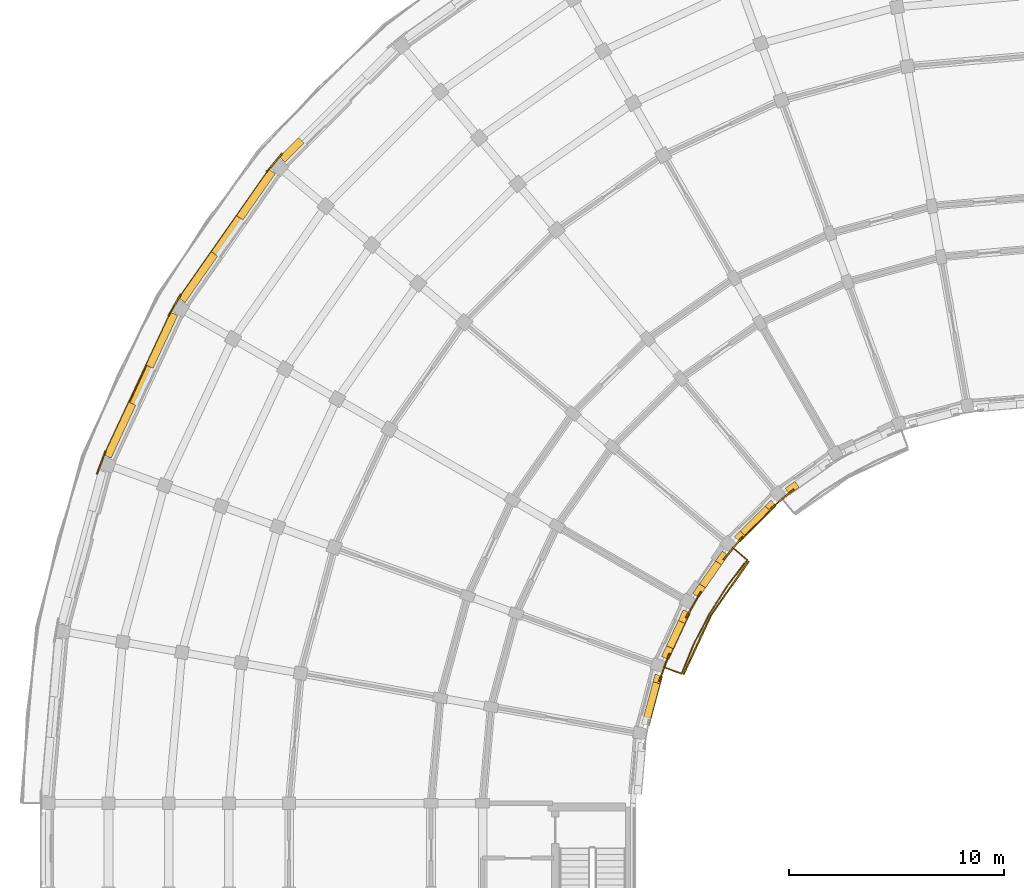
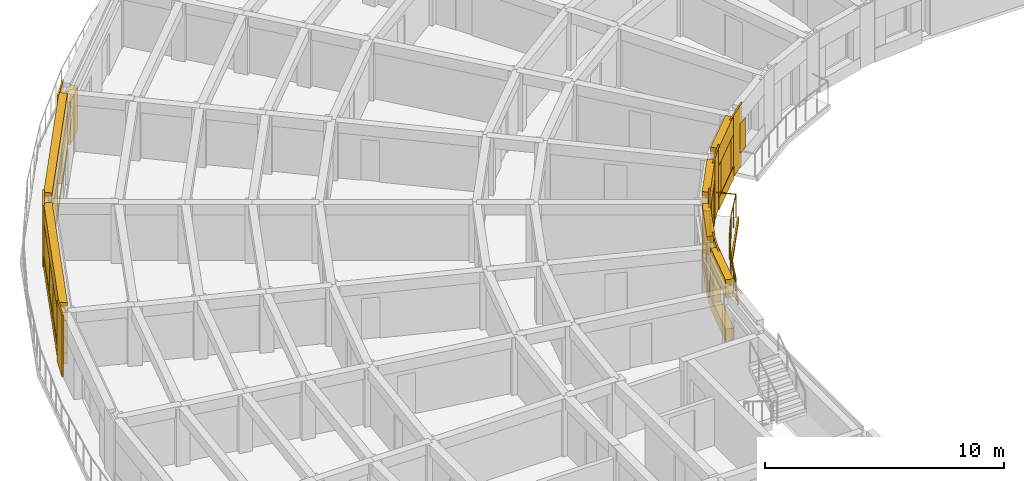
# One storey, part 27 of 36: 32 coverings, 2 shading devices, 1 railing.
"""IFC4 building model written with IfcOpenShell, lengths in metres."""

from ifc_helpers import new_model, si_unit, direction, frame, origin, origin_2d, place, context, subcontext, project, spatial, polyline, rectangle, circle, outline, extrude, material, layer, layer_set, type_object, element, save


model = new_model("IFC4")

# Units and contexts
model_context = context("Model", 3, precision=1e-05, world=origin(), true_north=direction((0.0, 1.0)))
body_context = subcontext(model_context, "Body", "Model", "MODEL_VIEW")
ifc_project = project(units=[si_unit("LENGTHUNIT", "METRE"), si_unit("AREAUNIT", "SQUARE_METRE"), si_unit("VOLUMEUNIT", "CUBIC_METRE"), si_unit("PLANEANGLEUNIT", "RADIAN"), si_unit("MASSUNIT", "GRAM", prefix="KILO")], contexts=[model_context])

# Site, building, storey
site_placement = place(None, origin())
site = spatial("IfcSite", under=ifc_project, at=site_placement, CompositionType="ELEMENT")
building_placement = place(site_placement, origin())
building = spatial("IfcBuilding", under=site, at=building_placement, Name="Kiranvali Square Residences", CompositionType="ELEMENT")
storey_placement = place(building_placement, frame((0.0, 0.0, 37.050048828125)))
storey = spatial("IfcBuildingStorey", under=building, at=storey_placement, Name="L11", CompositionType="ELEMENT", Elevation=37.050048828125)

# Coverings
ifc_material_1 = material(Name="Carved Porbandar limestone classical entablature and cornice", Category="masonry")
ifc_layer_1 = layer(ifc_material_1, 0.06201171875)
ifc_layer_set_1 = layer_set([ifc_layer_1], Name="Carved Porbandar limestone classical entablature and cornice")
covering_type_1 = type_object("IfcCoveringType", Name="COV-CLAD-GBAL", PredefinedType="CLADDING", material=ifc_layer_set_1)
covering_1_placement = place(storey_placement, frame((0.0, 0.0, -0.219970703125)))
element("IfcCovering", 1, at=covering_1_placement, inside=storey, type_object=covering_type_1, Name="Block A L11 garden balcony limestone fascia 2", PredefinedType="CLADDING", context=body_context, shape_type="SweptSolid", body=[
    extrude(outline(polyline([(34.757568359375, 99.07958984375), (33.0029296875, 96.573974609375), (31.710205078125, 93.8017578125), (31.774169921875, 93.778564453125), (33.061767578125, 96.5400390625), (34.8095703125, 99.035888671875), (34.757568359375, 99.07958984375)])), origin(), (0.0, 0.0, 1.0), 0.27001953125),
])
ifc_material_2 = material(Name="Honed Porbandar limestone ashlar facade cladding", Category="masonry")
ifc_layer_2 = layer(ifc_material_2, 0.3798828125)
ifc_layer_set_2 = layer_set([ifc_layer_2], Name="Honed Porbandar limestone ashlar facade cladding")
covering_type_2 = type_object("IfcCoveringType", Name="COV-CLAD-JAMB", PredefinedType="CLADDING", material=ifc_layer_set_2)
covering_2_placement = place(storey_placement, origin())
element("IfcCovering", 2, at=covering_2_placement, inside=storey, type_object=covering_type_2, Name="L11 deep limestone window jamb reveal A-L11-CRV-04.R", PredefinedType="CLADDING", context=body_context, shape_type="SweptSolid", body=[
    extrude(outline(polyline([(13.8408203125, 118.756103515625), (12.954833984375, 117.870361328125), (13.208984375, 117.615966796875), (14.094970703125, 118.501953125), (13.8408203125, 118.756103515625)])), origin(), (0.0, 0.0, 1.0), 2.179931640625),
])
covering_3_placement = place(storey_placement, frame((0.0, 0.0, 0.362060546875)))
element("IfcCovering", 3, at=covering_3_placement, inside=storey, type_object=covering_type_2, Name="L11 deep limestone window jamb reveal A-L11-CRV-05.L", PredefinedType="CLADDING", context=body_context, shape_type="SweptSolid", body=[
    extrude(outline(polyline([(12.46630859375, 117.2880859375), (10.955322265625, 115.130126953125), (11.25, 114.924072265625), (12.7607421875, 117.081787109375), (12.46630859375, 117.2880859375)])), origin(), (0.0, 0.0, 1.0), 1.849853515625),
])
covering_4_placement = place(storey_placement, frame((0.0, 0.0, 0.362060546875)))
element("IfcCovering", 4, at=covering_4_placement, inside=storey, type_object=covering_type_2, Name="L11 deep limestone window jamb reveal A-L11-CRV-05.R", PredefinedType="CLADDING", context=body_context, shape_type="SweptSolid", body=[
    extrude(outline(polyline([(9.779541015625, 113.450927734375), (8.268798828125, 111.293212890625), (8.563232421875, 111.0869140625), (10.073974609375, 113.244873046875), (9.779541015625, 113.450927734375)])), origin(), (0.0, 0.0, 1.0), 1.849853515625),
])
covering_5_placement = place(storey_placement, frame((0.0, 0.0, 0.56201171875)))
element("IfcCovering", 5, at=covering_5_placement, inside=storey, type_object=covering_type_2, Name="L11 deep limestone window jamb reveal A-L11-CRV-06.L", PredefinedType="CLADDING", context=body_context, shape_type="SweptSolid", body=[
    extrude(outline(polyline([(7.888671875, 110.635009765625), (6.74365234375, 108.1796875), (7.069580078125, 108.027587890625), (8.21435546875, 110.48291015625), (7.888671875, 110.635009765625)])), origin(), (0.0, 0.0, 1.0), 1.64990234375),
])
covering_6_placement = place(storey_placement, frame((0.0, 0.0, 0.56201171875)))
element("IfcCovering", 6, at=covering_6_placement, inside=storey, type_object=covering_type_2, Name="L11 deep limestone window jamb reveal A-L11-CRV-06.R", PredefinedType="CLADDING", context=body_context, shape_type="SweptSolid", body=[
    extrude(outline(polyline([(5.940673828125, 106.45751953125), (4.7958984375, 104.002197265625), (5.12158203125, 103.850341796875), (6.2666015625, 106.3056640625), (5.940673828125, 106.45751953125)])), origin(), (0.0, 0.0, 1.0), 1.64990234375),
])
covering_7_placement = place(storey_placement, frame((0.0, 0.0, 0.721923828125)))
element("IfcCovering", 7, at=covering_7_placement, inside=storey, type_object=covering_type_2, Name="L11 deep limestone window jamb reveal A-L11-GDN-03.R", PredefinedType="CLADDING", context=body_context, shape_type="SweptSolid", body=[
    extrude(outline(polyline([(36.925537109375, 102.768310546875), (36.476318359375, 102.45361328125), (36.671142578125, 102.175537109375), (37.120361328125, 102.490234375), (36.925537109375, 102.768310546875)])), origin(), (0.0, 0.0, 1.0), 1.5),
])
covering_8_placement = place(storey_placement, frame((0.0, 0.0, 0.6220703125)))
element("IfcCovering", 8, at=covering_8_placement, inside=storey, type_object=covering_type_2, Name="L11 deep limestone window jamb reveal A-L11-GDN-04.L", PredefinedType="CLADDING", context=body_context, shape_type="SweptSolid", body=[
    extrude(outline(polyline([(35.804931640625, 101.89013671875), (35.540771484375, 101.6259765625), (35.78076171875, 101.385986328125), (36.044921875, 101.650146484375), (35.804931640625, 101.89013671875)])), origin(), (0.0, 0.0, 1.0), 1.599853515625),
])
covering_9_placement = place(storey_placement, frame((0.0, 0.0, 0.6220703125)))
element("IfcCovering", 9, at=covering_9_placement, inside=storey, type_object=covering_type_2, Name="L11 deep limestone window jamb reveal A-L11-GDN-04.R", PredefinedType="CLADDING", context=body_context, shape_type="SweptSolid", body=[
    extrude(outline(polyline([(34.3740234375, 100.459228515625), (34.10986328125, 100.195068359375), (34.349853515625, 99.955078125), (34.614013671875, 100.21923828125), (34.3740234375, 100.459228515625)])), origin(), (0.0, 0.0, 1.0), 1.599853515625),
])
covering_10_placement = place(storey_placement, origin())
element("IfcCovering", 10, at=covering_10_placement, inside=storey, type_object=covering_type_2, Name="L11 deep limestone window jamb reveal A-L11-GDN-05.L", PredefinedType="CLADDING", context=body_context, shape_type="SweptSolid", body=[
    extrude(outline(polyline([(33.54638671875, 99.523681640625), (33.231689453125, 99.074462890625), (33.509765625, 98.879638671875), (33.824462890625, 99.328857421875), (33.54638671875, 99.523681640625)])), origin(), (0.0, 0.0, 1.0), 2.179931640625),
])
covering_11_placement = place(storey_placement, origin())
element("IfcCovering", 11, at=covering_11_placement, inside=storey, type_object=covering_type_2, Name="L11 deep limestone window jamb reveal A-L11-GDN-05.R", PredefinedType="CLADDING", context=body_context, shape_type="SweptSolid", body=[
    extrude(outline(polyline([(32.486083984375, 98.009521484375), (32.171630859375, 97.56005859375), (32.44970703125, 97.365478515625), (32.76416015625, 97.814697265625), (32.486083984375, 98.009521484375)])), origin(), (0.0, 0.0, 1.0), 2.179931640625),
])
covering_12_placement = place(storey_placement, frame((0.0, 0.0, 0.721923828125)))
element("IfcCovering", 12, at=covering_12_placement, inside=storey, type_object=covering_type_2, Name="L11 deep limestone window jamb reveal A-L11-GDN-06.L", PredefinedType="CLADDING", context=body_context, shape_type="SweptSolid", body=[
    extrude(outline(polyline([(31.733154296875, 96.801025390625), (31.50146484375, 96.303955078125), (31.80908203125, 96.160400390625), (32.041015625, 96.657470703125), (31.733154296875, 96.801025390625)])), origin(), (0.0, 0.0, 1.0), 1.5),
])
covering_13_placement = place(storey_placement, frame((0.0, 0.0, 0.721923828125)))
element("IfcCovering", 13, at=covering_13_placement, inside=storey, type_object=covering_type_2, Name="L11 deep limestone window jamb reveal A-L11-GDN-06.R", PredefinedType="CLADDING", context=body_context, shape_type="SweptSolid", body=[
    extrude(outline(polyline([(30.951904296875, 95.125732421875), (30.72021484375, 94.62841796875), (31.02783203125, 94.485107421875), (31.259765625, 94.982177734375), (30.951904296875, 95.125732421875)])), origin(), (0.0, 0.0, 1.0), 1.5),
])
covering_14_placement = place(storey_placement, frame((0.0, 0.0, 0.6220703125)))
element("IfcCovering", 14, at=covering_14_placement, inside=storey, type_object=covering_type_2, Name="L11 deep limestone window jamb reveal A-L11-GDN-07.L", PredefinedType="CLADDING", context=body_context, shape_type="SweptSolid", body=[
    extrude(outline(polyline([(30.42041015625, 93.804931640625), (30.32373046875, 93.444091796875), (30.651611328125, 93.356201171875), (30.748291015625, 93.717041015625), (30.42041015625, 93.804931640625)])), origin(), (0.0, 0.0, 1.0), 1.599853515625),
])
ifc_layer_3 = layer(ifc_material_2, 0.06494140625)
ifc_layer_set_3 = layer_set([ifc_layer_3], Name="Honed Porbandar limestone ashlar facade cladding")
covering_type_3 = type_object("IfcCoveringType", Name="COV-CLAD-PIER", PredefinedType="CLADDING", material=ifc_layer_set_3)
covering_15_placement = place(storey_placement, frame((0.0, 0.0, 0.0048828125)))
element("IfcCovering", 15, at=covering_15_placement, inside=storey, type_object=covering_type_3, Name="L11 Classical limestone corner pilaster CLAD-PR-A-L11-A05", PredefinedType="CLADDING", context=body_context, shape_type="SweptSolid", body=[
    extrude(outline(polyline([(13.052978515625, 118.049072265625), (12.30712890625, 117.160400390625), (12.35888671875, 117.1171875), (13.1044921875, 118.005615234375), (13.052978515625, 118.049072265625)])), origin(), (0.0, 0.0, 1.0), 3.14013671875),
])
covering_16_placement = place(storey_placement, frame((0.0, 0.0, 0.0048828125)))
element("IfcCovering", 16, at=covering_16_placement, inside=storey, type_object=covering_type_3, Name="L11 Classical limestone corner pilaster CLAD-PR-A-L11-A06", PredefinedType="CLADDING", context=body_context, shape_type="SweptSolid", body=[
    extrude(outline(polyline([(8.334228515625, 111.486328125), (7.754150390625, 110.481689453125), (7.8125, 110.447998046875), (8.392578125, 111.45263671875), (8.334228515625, 111.486328125)])), origin(), (0.0, 0.0, 1.0), 3.14013671875),
])
covering_17_placement = place(storey_placement, frame((0.0, 0.0, 0.0048828125)))
element("IfcCovering", 17, at=covering_17_placement, inside=storey, type_object=covering_type_3, Name="L11 Classical limestone corner pilaster CLAD-PR-A-L11-A07", PredefinedType="CLADDING", context=body_context, shape_type="SweptSolid", body=[
    extrude(outline(polyline([(4.82666015625, 104.203857421875), (4.429931640625, 103.11376953125), (4.493408203125, 103.090576171875), (4.89013671875, 104.1806640625), (4.82666015625, 104.203857421875)])), origin(), (0.0, 0.0, 1.0), 3.14013671875),
])
ifc_layer_4 = layer(ifc_material_2, 0.050048828125)
ifc_layer_set_4 = layer_set([ifc_layer_4], Name="Honed Porbandar limestone ashlar facade cladding")
covering_type_4 = type_object("IfcCoveringType", Name="COV-CLAD-PIER-IN", PredefinedType="CLADDING", material=ifc_layer_set_4)
covering_18_placement = place(storey_placement, frame((0.0, 0.0, 0.0048828125)))
element("IfcCovering", 18, at=covering_18_placement, inside=storey, type_object=covering_type_4, Name="L11 Classical garden courtyard pilaster CLAD-PRIN-A-L11-A04", PredefinedType="CLADDING", context=body_context, shape_type="SweptSolid", body=[
    extrude(outline(polyline([(35.81591796875, 101.4697265625), (36.888427734375, 102.36962890625), (36.844970703125, 102.42138671875), (35.7724609375, 101.521484375), (35.81591796875, 101.4697265625)])), origin(), (0.0, 0.0, 1.0), 3.14013671875),
])
covering_19_placement = place(storey_placement, frame((0.0, 0.0, 0.0048828125)))
element("IfcCovering", 19, at=covering_19_placement, inside=storey, type_object=covering_type_4, Name="L11 Classical garden courtyard pilaster CLAD-PRIN-A-L11-A05", PredefinedType="CLADDING", context=body_context, shape_type="SweptSolid", body=[
    extrude(outline(polyline([(33.63037109375, 99.111572265625), (34.5302734375, 100.18408203125), (34.478515625, 100.2275390625), (33.57861328125, 99.155029296875), (33.63037109375, 99.111572265625)])), origin(), (0.0, 0.0, 1.0), 3.14013671875),
])
covering_20_placement = place(storey_placement, frame((0.0, 0.0, 0.0048828125)))
element("IfcCovering", 20, at=covering_20_placement, inside=storey, type_object=covering_type_4, Name="L11 Classical garden courtyard pilaster CLAD-PRIN-A-L11-A06", PredefinedType="CLADDING", context=body_context, shape_type="SweptSolid", body=[
    extrude(outline(polyline([(31.887451171875, 96.40966796875), (32.58740234375, 97.622314453125), (32.529052734375, 97.656005859375), (31.828857421875, 96.443603515625), (31.887451171875, 96.40966796875)])), origin(), (0.0, 0.0, 1.0), 3.14013671875),
])
covering_21_placement = place(storey_placement, frame((0.0, 0.0, 0.0048828125)))
element("IfcCovering", 21, at=covering_21_placement, inside=storey, type_object=covering_type_4, Name="L11 Classical garden courtyard pilaster CLAD-PRIN-A-L11-A07", PredefinedType="CLADDING", context=body_context, shape_type="SweptSolid", body=[
    extrude(outline(polyline([(30.64013671875, 93.4462890625), (31.118896484375, 94.761962890625), (31.0556640625, 94.784912109375), (30.57666015625, 93.469482421875), (30.64013671875, 93.4462890625)])), origin(), (0.0, 0.0, 1.0), 3.14013671875),
])
ifc_layer_5 = layer(ifc_material_2, 0.360107421875)
ifc_layer_set_5 = layer_set([ifc_layer_5], Name="Honed Porbandar limestone ashlar facade cladding")
covering_type_5 = type_object("IfcCoveringType", Name="COV-CLAD-WALL", PredefinedType="CLADDING", material=ifc_layer_set_5)
covering_22_placement = place(storey_placement, frame((0.0, 0.0, 2.2119140625)))
element("IfcCovering", 22, at=covering_22_placement, inside=storey, type_object=covering_type_5, Name="L11 light limestone spandrel lintel A-L11-CRV-05", PredefinedType="CLADDING", context=body_context, shape_type="SweptSolid", body=[
    extrude(outline(polyline([(12.46630859375, 117.2880859375), (8.268798828125, 111.293212890625), (8.563232421875, 111.0869140625), (12.7607421875, 117.081787109375), (12.46630859375, 117.2880859375)])), origin(), (0.0, 0.0, 1.0), 0.93310546875),
])
covering_23_placement = place(storey_placement, frame((0.0, 0.0, 2.2119140625)))
element("IfcCovering", 23, at=covering_23_placement, inside=storey, type_object=covering_type_5, Name="L11 light limestone spandrel lintel A-L11-CRV-06", PredefinedType="CLADDING", context=body_context, shape_type="SweptSolid", body=[
    extrude(outline(polyline([(7.888671875, 110.635009765625), (4.7958984375, 104.002197265625), (5.12158203125, 103.850341796875), (8.21435546875, 110.48291015625), (7.888671875, 110.635009765625)])), origin(), (0.0, 0.0, 1.0), 0.93310546875),
])
covering_24_placement = place(storey_placement, frame((0.0, 0.0, 2.221923828125)))
element("IfcCovering", 24, at=covering_24_placement, inside=storey, type_object=covering_type_5, Name="L11 light limestone spandrel lintel A-L11-GDN-04", PredefinedType="CLADDING", context=body_context, shape_type="SweptSolid", body=[
    extrude(outline(polyline([(35.804931640625, 101.89013671875), (34.10986328125, 100.195068359375), (34.349853515625, 99.955078125), (36.044921875, 101.650146484375), (35.804931640625, 101.89013671875)])), origin(), (0.0, 0.0, 1.0), 0.923095703125),
])
covering_25_placement = place(storey_placement, frame((0.0, 0.0, 2.179931640625)))
element("IfcCovering", 25, at=covering_25_placement, inside=storey, type_object=covering_type_5, Name="L11 light limestone spandrel lintel A-L11-GDN-05", PredefinedType="CLADDING", context=body_context, shape_type="SweptSolid", body=[
    extrude(outline(polyline([(33.54638671875, 99.523681640625), (32.171630859375, 97.56005859375), (32.44970703125, 97.365478515625), (33.824462890625, 99.328857421875), (33.54638671875, 99.523681640625)])), origin(), (0.0, 0.0, 1.0), 0.965087890625),
])
covering_26_placement = place(storey_placement, frame((0.0, 0.0, 2.221923828125)))
element("IfcCovering", 26, at=covering_26_placement, inside=storey, type_object=covering_type_5, Name="L11 light limestone spandrel lintel A-L11-GDN-06", PredefinedType="CLADDING", context=body_context, shape_type="SweptSolid", body=[
    extrude(outline(polyline([(31.733154296875, 96.801025390625), (30.72021484375, 94.62841796875), (31.02783203125, 94.485107421875), (32.041015625, 96.657470703125), (31.733154296875, 96.801025390625)])), origin(), (0.0, 0.0, 1.0), 0.923095703125),
])
covering_27_placement = place(storey_placement, frame((0.0, 0.0, 2.221923828125)))
element("IfcCovering", 27, at=covering_27_placement, inside=storey, type_object=covering_type_5, Name="L11 light limestone spandrel lintel A-L11-GDN-07", PredefinedType="CLADDING", context=body_context, shape_type="SweptSolid", body=[
    extrude(outline(polyline([(30.42041015625, 93.804931640625), (29.800048828125, 91.489501953125), (30.1279296875, 91.401611328125), (30.748291015625, 93.717041015625), (30.42041015625, 93.804931640625)])), origin(), (0.0, 0.0, 1.0), 0.923095703125),
])
ifc_layer_6 = layer(ifc_material_2, 0.320068359375)
ifc_layer_set_6 = layer_set([ifc_layer_6], Name="Honed Porbandar limestone ashlar facade cladding")
covering_type_6 = type_object("IfcCoveringType", Name="COV-CLAD-WALL-UP", PredefinedType="CLADDING", material=ifc_layer_set_6)
covering_28_placement = place(storey_placement, frame((0.0, 0.0, 0.0048828125)))
element("IfcCovering", 28, at=covering_28_placement, inside=storey, type_object=covering_type_6, Name="L11 limestone window sill apron A-L11-CRV-05", PredefinedType="CLADDING", context=body_context, shape_type="SweptSolid", body=[
    extrude(outline(polyline([(12.441650390625, 117.30517578125), (8.244140625, 111.310302734375), (8.563232421875, 111.0869140625), (12.7607421875, 117.081787109375), (12.441650390625, 117.30517578125)])), origin(), (0.0, 0.0, 1.0), 0.357177734375),
])
covering_29_placement = place(storey_placement, frame((0.0, 0.0, 0.0048828125)))
element("IfcCovering", 29, at=covering_29_placement, inside=storey, type_object=covering_type_6, Name="L11 limestone window sill apron A-L11-CRV-06", PredefinedType="CLADDING", context=body_context, shape_type="SweptSolid", body=[
    extrude(outline(polyline([(7.861328125, 110.647705078125), (4.7685546875, 104.014892578125), (5.12158203125, 103.850341796875), (8.21435546875, 110.48291015625), (7.861328125, 110.647705078125)])), origin(), (0.0, 0.0, 1.0), 0.55712890625),
])
covering_30_placement = place(storey_placement, frame((0.0, 0.0, 0.0048828125)))
element("IfcCovering", 30, at=covering_30_placement, inside=storey, type_object=covering_type_6, Name="L11 limestone window sill apron A-L11-GDN-04", PredefinedType="CLADDING", context=body_context, shape_type="SweptSolid", body=[
    extrude(outline(polyline([(35.804931640625, 101.89013671875), (34.10986328125, 100.195068359375), (34.37109375, 99.933837890625), (36.066162109375, 101.62890625), (35.804931640625, 101.89013671875)])), origin(), (0.0, 0.0, 1.0), 0.6171875),
])
covering_31_placement = place(storey_placement, frame((0.0, 0.0, 0.0048828125)))
element("IfcCovering", 31, at=covering_31_placement, inside=storey, type_object=covering_type_6, Name="L11 limestone window sill apron A-L11-GDN-06", PredefinedType="CLADDING", context=body_context, shape_type="SweptSolid", body=[
    extrude(outline(polyline([(31.733154296875, 96.801025390625), (30.72021484375, 94.62841796875), (31.05517578125, 94.472412109375), (32.068115234375, 96.644775390625), (31.733154296875, 96.801025390625)])), origin(), (0.0, 0.0, 1.0), 0.717041015625),
])
covering_32_placement = place(storey_placement, frame((0.0, 0.0, 0.0048828125)))
element("IfcCovering", 32, at=covering_32_placement, inside=storey, type_object=covering_type_6, Name="L11 limestone window sill apron A-L11-GDN-07", PredefinedType="CLADDING", context=body_context, shape_type="SweptSolid", body=[
    extrude(outline(polyline([(30.42041015625, 93.804931640625), (29.800048828125, 91.489501953125), (30.156982421875, 91.393798828125), (30.77734375, 93.709228515625), (30.42041015625, 93.804931640625)])), origin(), (0.0, 0.0, 1.0), 0.6171875),
])

# Railing
ifc_material_3 = material(Name="Powder-coated architectural bronze balustrade", Category="steel")
railing_type = type_object("IfcRailingType", Name="RL-BAL-GOLD-1200", PredefinedType="BALUSTRADE", material=ifc_material_3)
railing_placement = place(storey_placement, frame((33.8291015625, 99.858642578125, 0.0)))
element("IfcRailing", 33, at=railing_placement, inside=storey, type_object=railing_type, Name="Block A L11 garden balcony gold balustrade 2", PredefinedType="BALUSTRADE", context=body_context, shape_type="SweptSolid", body=[
    extrude(circle(Radius=0.02392578125, at=origin_2d()), frame((0.0, 0.0, 1.17578125), z_axis=(0.765989188314, -0.642853454051, 0.0), x_axis=(0.642853454051, 0.765989188314, 0.0)), (0.0, 0.0, 1.0), 1.14990234375),
    extrude(circle(Radius=0.02392578125, at=origin_2d()), frame((0.880859375, -0.7392578125, 1.17578125), z_axis=(-0.608811807471, -0.793314680996, 0.0), x_axis=(0.793314680996, -0.608811807471, 0.0)), (0.0, 0.0, 1.0), 1.536376953125),
    extrude(circle(Radius=0.02392578125, at=origin_2d()), frame((-0.054443359375, -1.9580078125, 1.17578125), z_axis=(-0.537307309343, -0.843386539688, 0.0), x_axis=(0.843386539688, -0.537307309343, 0.0)), (0.0, 0.0, 1.0), 1.5361328125),
    extrude(circle(Radius=0.02392578125, at=origin_2d()), frame((-0.8798828125, -3.253662109375, 1.17578125), z_axis=(-0.461713009976, -0.887029366154, 0.0), x_axis=(0.887029366154, -0.461713009976, 0.0)), (0.0, 0.0, 1.0), 1.5361328125),
    extrude(circle(Radius=0.02392578125, at=origin_2d()), frame((-1.589111328125, -4.6162109375, 1.17578125), z_axis=(-0.382651197843, -0.923892883829, 0.0), x_axis=(0.923892883829, -0.382651197843, 0.0)), (0.0, 0.0, 1.0), 1.536376953125),
    extrude(circle(Radius=0.02392578125, at=origin_2d()), frame((-2.177001953125, -6.03564453125, 1.17578125), z_axis=(-0.939712828289, 0.341964618562, 0.0), x_axis=(-0.341964618562, -0.939712828289, 0.0)), (0.0, 0.0, 1.0), 1.150146484375),
    extrude(circle(Radius=0.02099609375, at=origin_2d()), origin(), (0.0, 0.0, 1.0), 1.15185546875),
    extrude(circle(Radius=0.02099609375, at=origin_2d()), frame((0.880859375, -0.7392578125, 0.0)), (0.0, 0.0, 1.0), 1.15185546875),
    extrude(circle(Radius=0.02099609375, at=origin_2d()), frame((0.4130859375, -1.3486328125, 0.0)), (0.0, 0.0, 1.0), 1.15185546875),
    extrude(circle(Radius=0.02099609375, at=origin_2d()), frame((-0.054443359375, -1.9580078125, 0.0)), (0.0, 0.0, 1.0), 1.15185546875),
    extrude(circle(Radius=0.02099609375, at=origin_2d()), frame((-0.46728515625, -2.60595703125, 0.0)), (0.0, 0.0, 1.0), 1.15185546875),
    extrude(circle(Radius=0.02099609375, at=origin_2d()), frame((-0.8798828125, -3.253662109375, 0.0)), (0.0, 0.0, 1.0), 1.15185546875),
    extrude(circle(Radius=0.02099609375, at=origin_2d()), frame((-1.234375, -3.93505859375, 0.0)), (0.0, 0.0, 1.0), 1.15185546875),
    extrude(circle(Radius=0.02099609375, at=origin_2d()), frame((-1.589111328125, -4.6162109375, 0.0)), (0.0, 0.0, 1.0), 1.15185546875),
    extrude(circle(Radius=0.02099609375, at=origin_2d()), frame((-1.883056640625, -5.325927734375, 0.0)), (0.0, 0.0, 1.0), 1.15185546875),
    extrude(circle(Radius=0.02099609375, at=origin_2d()), frame((-2.177001953125, -6.03564453125, 0.0)), (0.0, 0.0, 1.0), 1.15185546875),
    extrude(circle(Radius=0.02099609375, at=origin_2d()), frame((-3.2578125, -5.642333984375, 0.0)), (0.0, 0.0, 1.0), 1.15185546875),
])

# Shading devices
ifc_material_4 = material(Name="Pierced buff sandstone architectural mashrabiya solar screen", Category="masonry")
shading_device_type_1 = type_object("IfcShadingDeviceType", Name="SHD-JALI-1600", PredefinedType="JALOUSIE", material=ifc_material_4)
shading_device_1_placement = place(storey_placement, frame((35.183349609375, 100.816650390625, 0.621826171875), z_axis=(0.0, 0.0, 1.0), x_axis=(-0.707106781187, -0.707106781187, 0.0)))
element("IfcShadingDevice", 34, at=shading_device_1_placement, inside=storey, type_object=shading_device_type_1, Name="L11 carved stone Mashrabiya screen A-L11-GDN-04", PredefinedType="JALOUSIE", context=body_context, shape_type="SweptSolid", body=[
    extrude(rectangle(XDim=1.550048828125, YDim=0.044921875, at=origin_2d()), origin(), (0.0, 0.0, 1.0), 1.60009765625),
])
shading_device_type_2 = type_object("IfcShadingDeviceType", Name="SHD-JALI-1800", PredefinedType="JALOUSIE", material=ifc_material_4)
shading_device_2_placement = place(storey_placement, frame((6.3603515625, 107.31005859375, 0.56201171875), z_axis=(0.0, 0.0, 1.0), x_axis=(-0.422618261741, -0.906307787037, 0.0)))
element("IfcShadingDevice", 35, at=shading_device_2_placement, inside=storey, type_object=shading_device_type_2, Name="L11 carved stone Mashrabiya screen A-L11-CRV-06", PredefinedType="JALOUSIE", context=body_context, shape_type="SweptSolid", body=[
    extrude(rectangle(XDim=1.800048828125, YDim=0.044921875, at=origin_2d()), origin(), (0.0, 0.0, 1.0), 1.64990234375),
])

save(model, "model.ifc")
